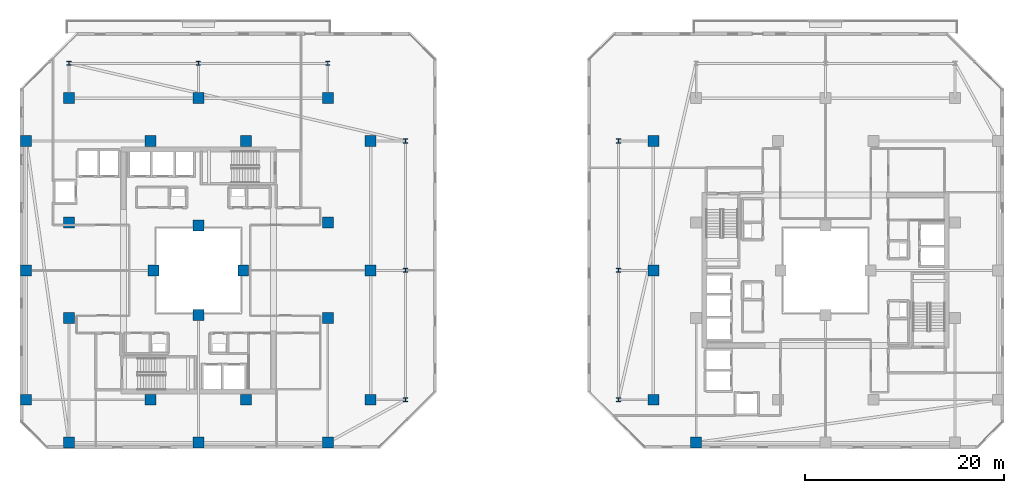
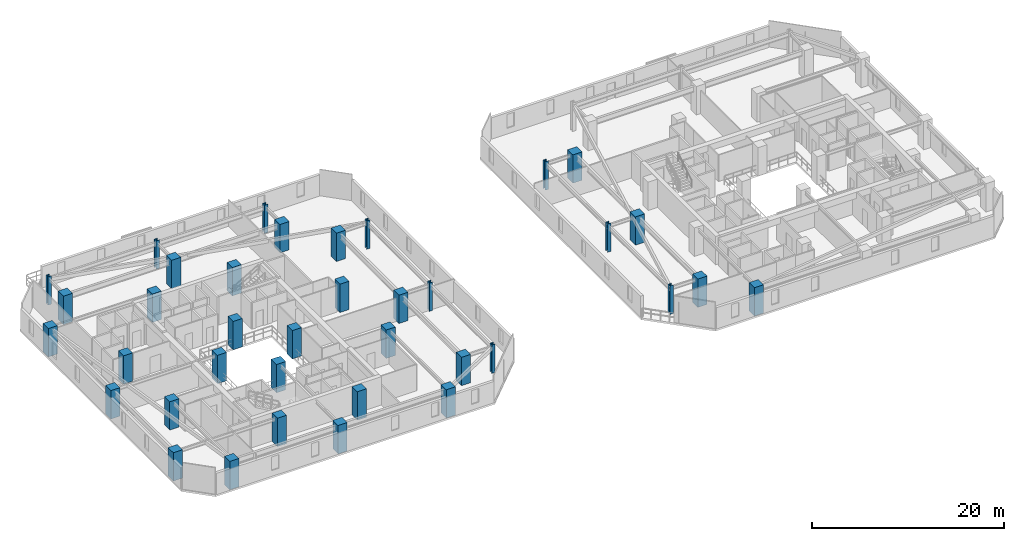
# One storey, part 1 of 32: 37 columns.
"""IFC4 building model written with IfcOpenShell, lengths in metres."""

from ifc_helpers import new_model, si_unit, direction, frame, origin, origin_2d, place, context, subcontext, project, spatial, rectangle, i_section, extrude, material, material_profile, profile_set, type_object, element, save


model = new_model("IFC4")

# Units and contexts
model_context = context("Model", 3, precision=1e-05, world=origin(), true_north=direction((0.0, 1.0)))
body_context = subcontext(model_context, "Body", "Model", "MODEL_VIEW")
ifc_project = project(units=[si_unit("LENGTHUNIT", "METRE"), si_unit("AREAUNIT", "SQUARE_METRE"), si_unit("VOLUMEUNIT", "CUBIC_METRE"), si_unit("PLANEANGLEUNIT", "RADIAN"), si_unit("MASSUNIT", "GRAM", prefix="KILO")], contexts=[model_context])

# Site, building, storey
site_placement = place(None, origin())
site = spatial("IfcSite", under=ifc_project, at=site_placement, CompositionType="ELEMENT")
building_placement = place(site_placement, origin())
building = spatial("IfcBuilding", under=site, at=building_placement, Name="Thornwick Lancets Civic Towers", CompositionType="ELEMENT")
storey_placement = place(building_placement, frame((0.0, 0.0, 182.10009765625)))
storey = spatial("IfcBuildingStorey", under=building, at=storey_placement, Name="L48", CompositionType="ELEMENT", Elevation=182.10009765625)

# Columns
ifc_material_1 = material(Name="Concrete C50/60", Category="concrete")
ifc_material_profile_1 = material_profile(ifc_material_1, rectangle(XDim=1.10009765625, YDim=1.10009765625, at=origin_2d()), Name="RC 1100x1100")
ifc_profile_set_1 = profile_set([ifc_material_profile_1], Name="Concrete C50/60")
column_type_1 = type_object("IfcColumnType", Name="COL_RC_1100", PredefinedType="COLUMN", material=ifc_profile_set_1)
for number, where, z_axis, x_axis, name in (
    (1, (12.5, 9.699951171875, 0.0), (0.0, 0.0, 1.0), (1.0, 0.0, 0.0), "L48 Spine Mega-Column A01"),
    (2, (25.5, 9.699951171875, 0.0), (0.0, 0.0, 1.0), (1.0, 0.0, 0.0), "L48 Spine Mega-Column A02"),
    (3, (38.5, 9.699951171875, 0.0), (0.0, 0.0, 1.0), (1.0, 0.0, 0.0), "L48 Spine Mega-Column A03"),
    (4, (42.800048828125, 14.0, 0.0), (0.0, 0.0, 1.0), (1.0, 0.0, 0.0), "L48 Spine Mega-Column A04"),
    (5, (42.800048828125, 27.0, 0.0), (0.0, 0.0, 1.0), (1.0, 0.0, 0.0), "L48 Spine Mega-Column A05"),
    (6, (42.800048828125, 40.0, 0.0), (0.0, 0.0, 1.0), (1.0, 0.0, 0.0), "L48 Spine Mega-Column A06"),
    (7, (12.5, 44.300048828125, 0.0), (0.0, 0.0, 1.0), (1.0, 0.0, 0.0), "L48 Spine Mega-Column A07"),
    (8, (25.5, 44.300048828125, 0.0), (0.0, 0.0, 1.0), (1.0, 0.0, 0.0), "L48 Spine Mega-Column A08"),
    (9, (38.5, 44.300048828125, 0.0), (0.0, 0.0, 1.0), (1.0, 0.0, 0.0), "L48 Spine Mega-Column A09"),
    (10, (8.199951171875, 14.0, 0.0), (0.0, 0.0, 1.0), (1.0, 0.0, 0.0), "L48 Spine Mega-Column A10"),
    (11, (8.199951171875, 27.0, 0.0), (0.0, 0.0, 1.0), (1.0, 0.0, 0.0), "L48 Spine Mega-Column A11"),
    (12, (8.199951171875, 40.0, 0.0), (0.0, 0.0, 1.0), (1.0, 0.0, 0.0), "L48 Spine Mega-Column A12"),
    (13, (12.5, 22.199951171875, 0.0), (0.0, 0.0, 1.0), (1.0, 0.0, 0.0), "L48 Spine Mega-Column A13"),
    (14, (38.5, 22.199951171875, 0.0), (0.0, 0.0, 1.0), (1.0, 0.0, 0.0), "L48 Spine Mega-Column A14"),
    (15, (12.5, 31.800048828125, 0.0), (0.0, 0.0, 1.0), (1.0, 0.0, 0.0), "L48 Spine Mega-Column A15"),
    (16, (38.5, 31.800048828125, 0.0), (0.0, 0.0, 1.0), (1.0, 0.0, 0.0), "L48 Spine Mega-Column A16"),
    (17, (20.699951171875, 14.0, 0.0), (0.0, 0.0, 1.0), (1.0, 0.0, 0.0), "L48 Spine Mega-Column A17"),
    (18, (30.300048828125, 14.0, 0.0), (0.0, 0.0, 1.0), (1.0, 0.0, 0.0), "L48 Spine Mega-Column A18"),
    (19, (20.699951171875, 40.0, 0.0), (0.0, 0.0, 1.0), (1.0, 0.0, 0.0), "L48 Spine Mega-Column A19"),
    (20, (30.300048828125, 40.0, 0.0), (0.0, 0.0, 1.0), (1.0, 0.0, 0.0), "L48 Spine Mega-Column A20"),
    (21, (25.5, 22.5, 0.0), (0.0, 0.0, 1.0), (1.0, 0.0, 0.0), "L48 Spine Mega-Column A21"),
    (22, (25.5, 31.5, 0.0), (0.0, 0.0, 1.0), (1.0, 0.0, 0.0), "L48 Spine Mega-Column A22"),
    (23, (21.0, 27.0, 0.0), (0.0, 0.0, 1.0), (1.0, 0.0, 0.0), "L48 Spine Mega-Column A23"),
    (24, (30.0, 27.0, 0.0), (0.0, 0.0, 1.0), (1.0, 0.0, 0.0), "L48 Spine Mega-Column A24"),
    (25, (71.199951171875, 14.0, 0.0), (0.0, 0.0, 1.0), (1.0, 0.0, 0.0), "L48 Spine Mega-Column B07"),
    (26, (71.199951171875, 27.0, 0.0), (0.0, 0.0, 1.0), (1.0, 0.0, 0.0), "L48 Spine Mega-Column B08"),
    (27, (71.199951171875, 40.0, 0.0), (0.0, 0.0, 1.0), (1.0, 0.0, 0.0), "L48 Spine Mega-Column B09"),
    (28, (75.5, 9.699951171875, 0.0), (0.0, 0.0, 1.0), (1.0, 0.0, 0.0), "L48 Spine Mega-Column B12"),
):
    element("IfcColumn", number, at=place(storey_placement, frame(where, z_axis=z_axis, x_axis=x_axis)), inside=storey, type_object=column_type_1, Name=name, PredefinedType="COLUMN", context=body_context, shape_type="SweptSolid", body=[
        extrude(rectangle(XDim=1.10009765625, YDim=1.10009765625, at=origin_2d()), origin(), (0.0, 0.0, 1.0), 3.599853515625),
    ])
ifc_material_2 = material(Name="Steel S460M", Category="steel")
ifc_material_profile_2 = material_profile(ifc_material_2, i_section(OverallWidth=0.406982421875, OverallDepth=0.4189453125, WebThickness=0.030517578125, FlangeThickness=0.04931640625, FilletRadius=0.01513671875, at=origin_2d()), Name="UKC 356x406x393")
ifc_profile_set_2 = profile_set([ifc_material_profile_2], Name="Steel S460M")
column_type_2 = type_object("IfcColumnType", Name="COL_UKC_393", PredefinedType="COLUMN", material=ifc_profile_set_2)
for number, where, z_axis, x_axis, name in (
    (29, (46.300048828125, 14.0, 0.0), (0.0, 0.0, 1.0), (1.0, 0.0, 0.0), "L48 Block Perimeter Column A04"),
    (30, (46.300048828125, 27.0, 0.0), (0.0, 0.0, 1.0), (1.0, 0.0, 0.0), "L48 Block Perimeter Column A05"),
    (31, (46.300048828125, 40.0, 0.0), (0.0, 0.0, 1.0), (1.0, 0.0, 0.0), "L48 Block Perimeter Column A06"),
    (32, (12.5, 47.800048828125, 0.0), (0.0, 0.0, 1.0), (1.0, 0.0, 0.0), "L48 Block Perimeter Column A07"),
    (33, (25.5, 47.800048828125, 0.0), (0.0, 0.0, 1.0), (1.0, 0.0, 0.0), "L48 Block Perimeter Column A08"),
    (34, (38.5, 47.800048828125, 0.0), (0.0, 0.0, 1.0), (1.0, 0.0, 0.0), "L48 Block Perimeter Column A09"),
    (35, (67.699951171875, 14.0, 0.0), (0.0, 0.0, 1.0), (1.0, 0.0, 0.0), "L48 Block Perimeter Column B07"),
    (36, (67.699951171875, 27.0, 0.0), (0.0, 0.0, 1.0), (1.0, 0.0, 0.0), "L48 Block Perimeter Column B08"),
    (37, (67.699951171875, 40.0, 0.0), (0.0, 0.0, 1.0), (1.0, 0.0, 0.0), "L48 Block Perimeter Column B09"),
):
    element("IfcColumn", number, at=place(storey_placement, frame(where, z_axis=z_axis, x_axis=x_axis)), inside=storey, type_object=column_type_2, Name=name, PredefinedType="COLUMN", context=body_context, shape_type="SweptSolid", body=[
        extrude(i_section(OverallWidth=0.406982421875, OverallDepth=0.4189453125, WebThickness=0.030517578125, FlangeThickness=0.04931640625, FilletRadius=0.01513671875, at=origin_2d()), origin(), (0.0, 0.0, 1.0), 3.599853515625),
    ])

save(model, "model.ifc")
